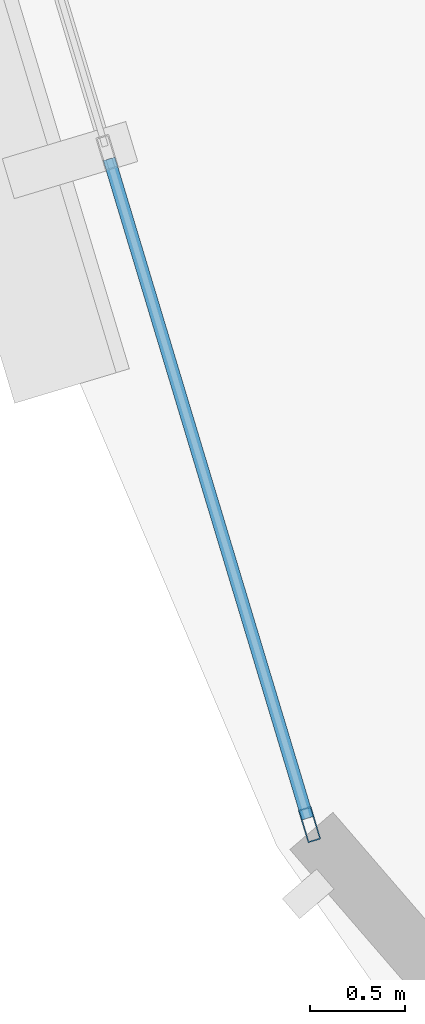
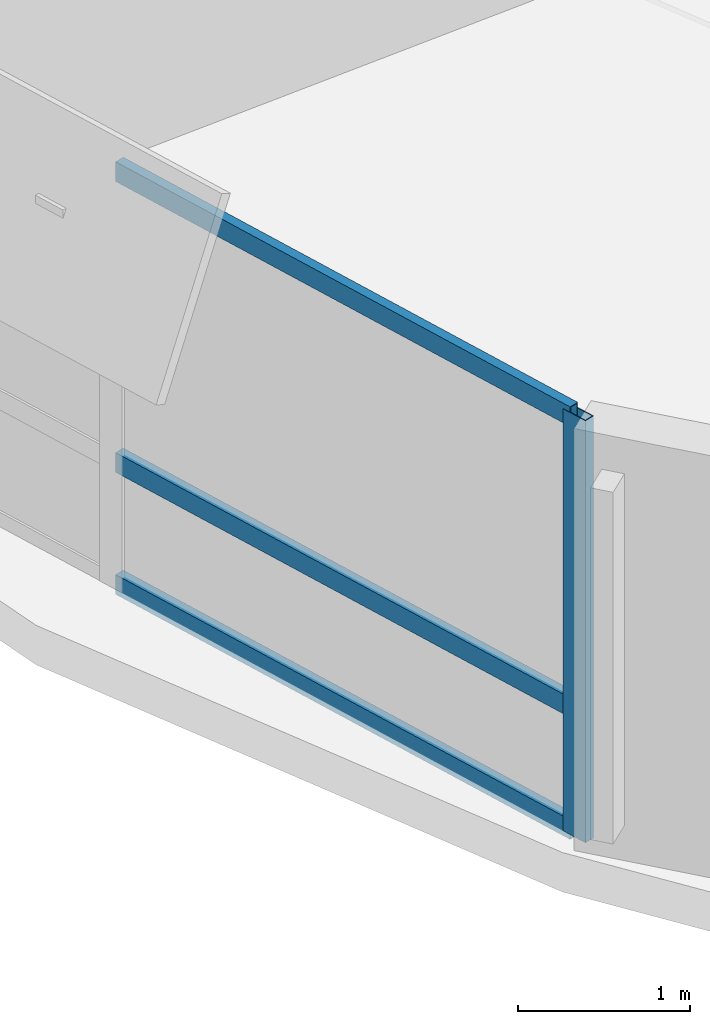
# One storey, part 2 of 16: 4 members, 1 element without a shape of its own.
"""IFC4 building model written with IfcOpenShell, lengths in metres."""

from ifc_helpers import new_model, si_unit, direction, frame, origin, origin_2d, place, context, subcontext, project, spatial, hollow_rectangle, extrude, material, layer, layer_set, material_profile, profile_set, type_object, element, aggregate, save


model = new_model("IFC4")

# Units and contexts
model_context = context("Model", 3, precision=1e-05, world=origin(), true_north=direction((0.0, 1.0)))
body_context = subcontext(model_context, "Body", "Model", "MODEL_VIEW")
ifc_project = project(units=[si_unit("LENGTHUNIT", "METRE"), si_unit("AREAUNIT", "SQUARE_METRE"), si_unit("VOLUMEUNIT", "CUBIC_METRE"), si_unit("PLANEANGLEUNIT", "RADIAN"), si_unit("MASSUNIT", "GRAM", prefix="KILO"), si_unit("THERMODYNAMICTEMPERATUREUNIT", "KELVIN"), si_unit("POWERUNIT", "WATT")], contexts=[model_context])

# Site, building, storey
site_placement = place(None, origin())
site = spatial("IfcSite", under=ifc_project, at=site_placement, CompositionType="ELEMENT")
building_placement = place(site_placement, origin())
building = spatial("IfcBuilding", under=site, at=building_placement, Name="Ocrelia Relay Tower", CompositionType="ELEMENT")
storey_placement = place(building_placement, frame((0.0, 0.0, 46.800048828125)))
storey = spatial("IfcBuildingStorey", under=building, at=storey_placement, Name="L10", CompositionType="ELEMENT", Elevation=46.800048828125)

# Curtain wall, members
ifc_material_1 = material(Name="Aluminium and solar-control low-E glass", Category="aluminium")
ifc_layer = layer(ifc_material_1, 0.179931640625, Name="Aluminium and solar-control low-E glass")
ifc_layer_set = layer_set([ifc_layer], Name="Aluminium and solar-control low-E glass")
curtain_wall_type = type_object("IfcCurtainWallType", Name="CW-SYS-Z1-DATA", PredefinedType="NOTDEFINED", material=ifc_layer_set)
curtain_wall_placement = place(storey_placement, origin())
curtain_wall = element("IfcCurtainWall", 1, at=curtain_wall_placement, inside=storey, type_object=curtain_wall_type, Name="L10 Elliptical Tower Curtain Wall Bay 10", PredefinedType="NOTDEFINED")
ifc_material_2 = material(Name="Anodised bronze aluminium", Category="aluminium")
ifc_material_profile_1 = material_profile(ifc_material_2, hollow_rectangle(XDim=0.070068359375, YDim=0.179931640625, WallThickness=0.006103515625, at=origin_2d()), Name="CW-MUL-180x70")
ifc_profile_set_1 = profile_set([ifc_material_profile_1], Name="Anodised bronze aluminium")
member_type_1 = type_object("IfcMemberType", Name="CW-SYS-Z1-DATA-MUL", PredefinedType="MULLION", material=ifc_profile_set_1)
member_1_placement = place(storey_placement, frame((8.40673828125, 17.033203125, 0.0), z_axis=(0.0, 0.0, 1.0), x_axis=(0.957519048291, 0.288370026457, 0.0)))
member_1 = element("IfcMember", 2, at=member_1_placement, type_object=member_type_1, Name="CW-Z1 mullion 3", PredefinedType="MULLION", context=body_context, shape_type="SweptSolid", body=[
    extrude(hollow_rectangle(XDim=0.070068359375, YDim=0.179931640625, WallThickness=0.006103515625, at=origin_2d()), origin(), (0.0, 0.0, 1.0), 3.0),
])
ifc_material_profile_2 = material_profile(ifc_material_2, hollow_rectangle(XDim=0.06494140625, YDim=0.139892578125, WallThickness=0.0048828125, at=origin_2d()), Name="CW-TRN-140x65")
ifc_profile_set_2 = profile_set([ifc_material_profile_2], Name="Anodised bronze aluminium")
member_type_2 = type_object("IfcMemberType", Name="CW-SYS-Z1-DATA-TRN", PredefinedType="USERDEFINED", material=ifc_profile_set_2)
member_2_placement = place(storey_placement, frame((7.34912109375, 20.545166015625, 0.032470703125), z_axis=(0.288371191123, -0.957518697536, 0.0), x_axis=(0.957518697536, 0.288371191123, 0.0)))
member_2 = element("IfcMember", 3, at=member_2_placement, type_object=member_type_2, Name="CW-Z1 transom 2.1", ObjectType="TRANSOM", PredefinedType="USERDEFINED", context=body_context, shape_type="SweptSolid", body=[
    extrude(hollow_rectangle(XDim=0.06494140625, YDim=0.139892578125, WallThickness=0.0048828125, at=origin_2d()), origin(), (0.0, 0.0, 1.0), 3.6328125),
])
member_3_placement = place(storey_placement, frame((7.34912109375, 20.545166015625, 0.89990234375), z_axis=(0.288371191123, -0.957518697536, 0.0), x_axis=(0.957518697536, 0.288371191123, 0.0)))
member_3 = element("IfcMember", 4, at=member_3_placement, type_object=member_type_2, Name="CW-Z1 transom 2.2", ObjectType="TRANSOM", PredefinedType="USERDEFINED", context=body_context, shape_type="SweptSolid", body=[
    extrude(hollow_rectangle(XDim=0.06494140625, YDim=0.139892578125, WallThickness=0.0048828125, at=origin_2d()), origin(), (0.0, 0.0, 1.0), 3.6328125),
])
member_4_placement = place(storey_placement, frame((7.34912109375, 20.545166015625, 2.967529296875), z_axis=(0.288371191123, -0.957518697536, 0.0), x_axis=(0.957518697536, 0.288371191123, 0.0)))
member_4 = element("IfcMember", 5, at=member_4_placement, type_object=member_type_2, Name="CW-Z1 transom 2.3", ObjectType="TRANSOM", PredefinedType="USERDEFINED", context=body_context, shape_type="SweptSolid", body=[
    extrude(hollow_rectangle(XDim=0.06494140625, YDim=0.139892578125, WallThickness=0.0048828125, at=origin_2d()), origin(), (0.0, 0.0, 1.0), 3.6328125),
])
aggregate(curtain_wall, [member_1, member_2, member_3, member_4])

save(model, "model.ifc")
